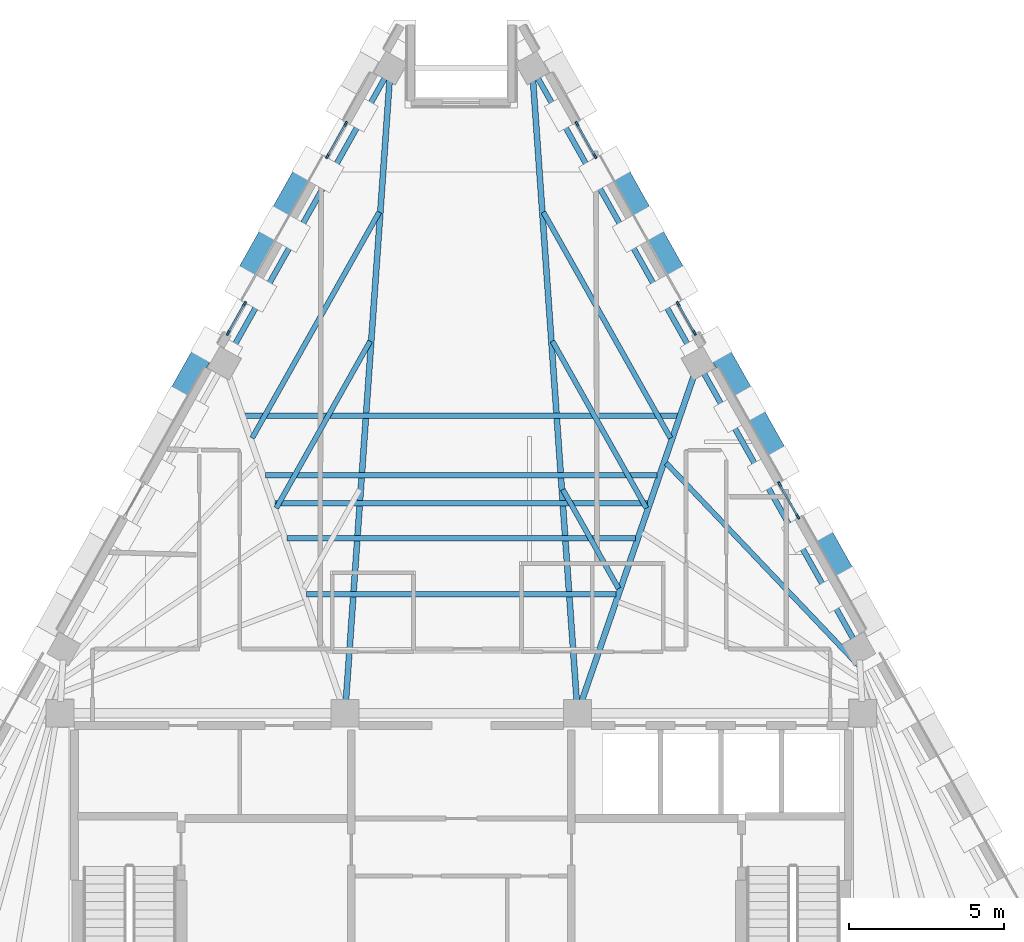
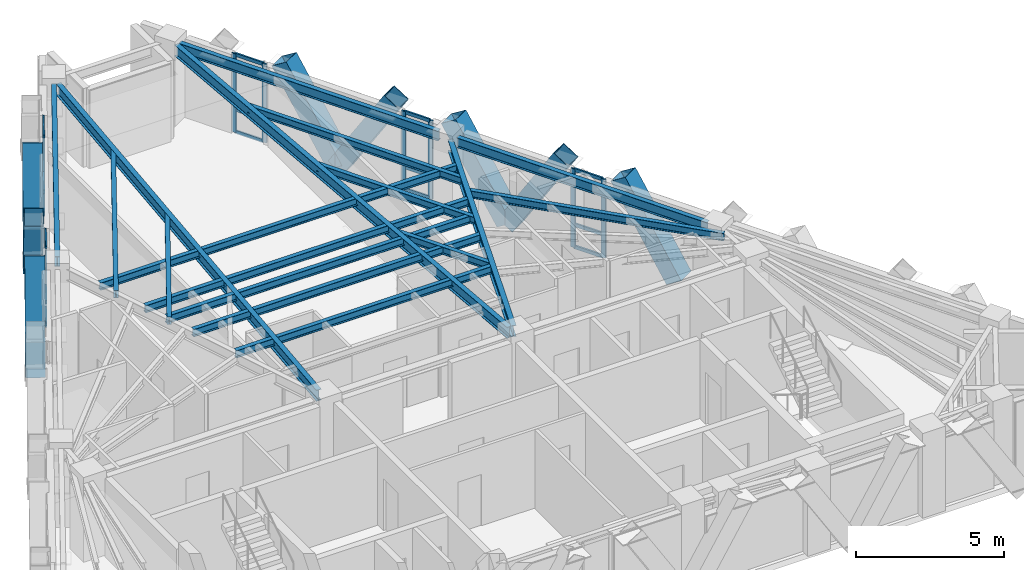
# One storey, part 3 of 9: 33 members, 17 beams, 5 elements without a shape of their own.
"""IFC4 building model written with IfcOpenShell, lengths in metres."""

from ifc_helpers import new_model, si_unit, direction, frame, origin, origin_2d, place, context, subcontext, project, spatial, rectangle, hollow_rectangle, i_section, extrude, material, material_profile, profile_set, type_object, element, aggregate, save


model = new_model("IFC4")

# Units and contexts
model_context = context("Model", 3, precision=1e-05, world=origin(), true_north=direction((0.0, 1.0)))
body_context = subcontext(model_context, "Body", "Model", "MODEL_VIEW")
ifc_project = project(units=[si_unit("LENGTHUNIT", "METRE"), si_unit("AREAUNIT", "SQUARE_METRE"), si_unit("VOLUMEUNIT", "CUBIC_METRE"), si_unit("PLANEANGLEUNIT", "RADIAN"), si_unit("MASSUNIT", "GRAM", prefix="KILO")], contexts=[model_context])

# Site, building, storey
site_placement = place(None, origin())
site = spatial("IfcSite", under=ifc_project, at=site_placement, CompositionType="ELEMENT")
building_placement = place(site_placement, origin())
building = spatial("IfcBuilding", under=site, at=building_placement, Name="Quenlor Broadcast Tower", CompositionType="ELEMENT")
storey_placement = place(building_placement, frame((0.0, 0.0, 239.39990234375)))
storey = spatial("IfcBuildingStorey", under=building, at=storey_placement, Name="L66", CompositionType="ELEMENT", Elevation=239.39990234375)

# Curtain wall, members
ifc_material_1 = material(Name="Architectural Terracotta and Low-E Glazing", Category="masonry")
curtain_wall_type = type_object("IfcCurtainWallType", Name="Unitised Terracotta Curtain Wall System Z5", PredefinedType="NOTDEFINED", material=ifc_material_1)
curtain_wall_1_placement = place(storey_placement, origin())
curtain_wall_1 = element("IfcCurtainWall", 1, at=curtain_wall_1_placement, inside=storey, type_object=curtain_wall_type, Name="L66 Curtain Wall CW5 (L66-NEA-G1)", PredefinedType="NOTDEFINED")
ifc_material_2 = material(Name="Aluminium 6063-T6", Category="aluminium")
ifc_material_profile_1 = material_profile(ifc_material_2, rectangle(XDim=0.06494140625, YDim=0.169921875, at=origin_2d()))
ifc_profile_set_1 = profile_set([ifc_material_profile_1], Name="Aluminium 6063-T6 MULL65x170")
member_type_1 = type_object("IfcMemberType", Name="CW5 Aluminium Mullion MULL_CW5", PredefinedType="MULLION", material=ifc_profile_set_1)
member_1_placement = place(storey_placement, frame((3.72802734375, 14.211669921875, 0.0), z_axis=(0.0, 0.0, 1.0), x_axis=(0.871558583916, 0.49029137745, 0.0)))
member_1 = element("IfcMember", 2, at=member_1_placement, type_object=member_type_1, Name="CW5 mullion 1", PredefinedType="MULLION", context=body_context, shape_type="SweptSolid", body=[
    extrude(rectangle(XDim=0.06494140625, YDim=0.169921875, at=origin_2d()), origin(), (0.0, 0.0, 1.0), 3.25),
])
member_2_placement = place(storey_placement, frame((4.31396484375, 13.169921875, 0.0), z_axis=(0.0, 0.0, 1.0), x_axis=(0.871558583916, 0.49029137745, 0.0)))
member_2 = element("IfcMember", 3, at=member_2_placement, type_object=member_type_1, Name="CW5 mullion 2", PredefinedType="MULLION", context=body_context, shape_type="SweptSolid", body=[
    extrude(rectangle(XDim=0.06494140625, YDim=0.169921875, at=origin_2d()), origin(), (0.0, 0.0, 1.0), 3.25),
])

curtain_wall_2_placement = place(storey_placement, origin())
curtain_wall_2 = element("IfcCurtainWall", 4, at=curtain_wall_2_placement, inside=storey, type_object=curtain_wall_type, Name="L66 Curtain Wall CW5 (L66-NEA-G2)", PredefinedType="NOTDEFINED")
member_3_placement = place(storey_placement, frame((6.99755859375, 8.39892578125, 0.0), z_axis=(0.0, 0.0, 1.0), x_axis=(0.871563693894, 0.490282293669, 0.0)))
member_3 = element("IfcMember", 5, at=member_3_placement, type_object=member_type_1, Name="CW5 mullion 1", PredefinedType="MULLION", context=body_context, shape_type="SweptSolid", body=[
    extrude(rectangle(XDim=0.06494140625, YDim=0.169921875, at=origin_2d()), origin(), (0.0, 0.0, 1.0), 3.25),
])
member_4_placement = place(storey_placement, frame((7.5185546875, 7.472900390625, 0.0), z_axis=(0.0, 0.0, 1.0), x_axis=(0.871563693894, 0.490282293669, 0.0)))
member_4 = element("IfcMember", 6, at=member_4_placement, type_object=member_type_1, Name="CW5 mullion 2", PredefinedType="MULLION", context=body_context, shape_type="SweptSolid", body=[
    extrude(rectangle(XDim=0.06494140625, YDim=0.169921875, at=origin_2d()), origin(), (0.0, 0.0, 1.0), 3.25),
])

curtain_wall_3_placement = place(storey_placement, origin())
curtain_wall_3 = element("IfcCurtainWall", 7, at=curtain_wall_3_placement, inside=storey, type_object=curtain_wall_type, Name="L66 Curtain Wall CW5 (L66-NE-G1)", PredefinedType="NOTDEFINED")
member_5_placement = place(storey_placement, frame((10.267333984375, 2.586181640625, 0.0), z_axis=(0.0, 0.0, 1.0), x_axis=(0.871592489955, 0.490231100048, 0.0)))
member_5 = element("IfcMember", 8, at=member_5_placement, type_object=member_type_1, Name="CW5 mullion 1", PredefinedType="MULLION", context=body_context, shape_type="SweptSolid", body=[
    extrude(rectangle(XDim=0.06494140625, YDim=0.169921875, at=origin_2d()), origin(), (0.0, 0.0, 1.0), 3.25),
])
member_6_placement = place(storey_placement, frame((10.853271484375, 1.54443359375, 0.0), z_axis=(0.0, 0.0, 1.0), x_axis=(0.871592489955, 0.490231100048, 0.0)))
member_6 = element("IfcMember", 9, at=member_6_placement, type_object=member_type_1, Name="CW5 mullion 2", PredefinedType="MULLION", context=body_context, shape_type="SweptSolid", body=[
    extrude(rectangle(XDim=0.06494140625, YDim=0.169921875, at=origin_2d()), origin(), (0.0, 0.0, 1.0), 3.25),
])

curtain_wall_4_placement = place(storey_placement, origin())
curtain_wall_4 = element("IfcCurtainWall", 10, at=curtain_wall_4_placement, inside=storey, type_object=curtain_wall_type, Name="L66 Curtain Wall CW5 (L66-NWC-G1)", PredefinedType="NOTDEFINED")
member_7_placement = place(storey_placement, frame((-7.5185546875, 7.472900390625, 0.0), z_axis=(0.0, 0.0, 1.0), x_axis=(-0.871563693894, 0.490282293669, 0.0)))
member_7 = element("IfcMember", 11, at=member_7_placement, type_object=member_type_1, Name="CW5 mullion 1", PredefinedType="MULLION", context=body_context, shape_type="SweptSolid", body=[
    extrude(rectangle(XDim=0.06494140625, YDim=0.169921875, at=origin_2d()), origin(), (0.0, 0.0, 1.0), 3.25),
])
member_8_placement = place(storey_placement, frame((-6.99755859375, 8.39892578125, 0.0), z_axis=(0.0, 0.0, 1.0), x_axis=(-0.871563693894, 0.490282293669, 0.0)))
member_8 = element("IfcMember", 12, at=member_8_placement, type_object=member_type_1, Name="CW5 mullion 2", PredefinedType="MULLION", context=body_context, shape_type="SweptSolid", body=[
    extrude(rectangle(XDim=0.06494140625, YDim=0.169921875, at=origin_2d()), origin(), (0.0, 0.0, 1.0), 3.25),
])

curtain_wall_5_placement = place(storey_placement, origin())
curtain_wall_5 = element("IfcCurtainWall", 13, at=curtain_wall_5_placement, inside=storey, type_object=curtain_wall_type, Name="L66 Curtain Wall CW5 (L66-NWC-G2)", PredefinedType="NOTDEFINED")
member_9_placement = place(storey_placement, frame((-4.31396484375, 13.169921875, 0.0), z_axis=(0.0, 0.0, 1.0), x_axis=(-0.871558583916, 0.49029137745, 0.0)))
member_9 = element("IfcMember", 14, at=member_9_placement, type_object=member_type_1, Name="CW5 mullion 1", PredefinedType="MULLION", context=body_context, shape_type="SweptSolid", body=[
    extrude(rectangle(XDim=0.06494140625, YDim=0.169921875, at=origin_2d()), origin(), (0.0, 0.0, 1.0), 3.25),
])
member_10_placement = place(storey_placement, frame((-3.72802734375, 14.211669921875, 0.0), z_axis=(0.0, 0.0, 1.0), x_axis=(-0.871558583916, 0.49029137745, 0.0)))
member_10 = element("IfcMember", 15, at=member_10_placement, type_object=member_type_1, Name="CW5 mullion 2", PredefinedType="MULLION", context=body_context, shape_type="SweptSolid", body=[
    extrude(rectangle(XDim=0.06494140625, YDim=0.169921875, at=origin_2d()), origin(), (0.0, 0.0, 1.0), 3.25),
])

# Member
ifc_material_3 = material(Name="Aluminium 6063-T6", Category="aluminium")
ifc_material_profile_2 = material_profile(ifc_material_3, rectangle(XDim=0.06494140625, YDim=0.139892578125, at=origin_2d()))
ifc_profile_set_2 = profile_set([ifc_material_profile_2], Name="Aluminium 6063-T6 TRAN65x140")
member_type_2 = type_object("IfcMemberType", Name="CW5 Aluminium Transom TRAN_CW5", PredefinedType="USERDEFINED", material=ifc_profile_set_2)
member_11_placement = place(storey_placement, frame((3.743896484375, 14.183349609375, 0.03271484375), z_axis=(0.490312513966, -0.871546693327, 0.0), x_axis=(0.871546693327, 0.490312513966, 0.0)))
member_11 = element("IfcMember", 16, at=member_11_placement, type_object=member_type_2, Name="CW5 transom 1.1", ObjectType="TRANSOM", PredefinedType="USERDEFINED", context=body_context, shape_type="SweptSolid", body=[
    extrude(rectangle(XDim=0.06494140625, YDim=0.139892578125, at=origin_2d()), origin(), (0.0, 0.0, 1.0), 1.13037109375),
])

member_12_placement = place(storey_placement, frame((3.743896484375, 14.183349609375, 0.9501953125), z_axis=(0.490312513966, -0.871546693327, 0.0), x_axis=(0.871546693327, 0.490312513966, 0.0)))
member_12 = element("IfcMember", 17, at=member_12_placement, type_object=member_type_2, Name="CW5 transom 1.2", ObjectType="TRANSOM", PredefinedType="USERDEFINED", context=body_context, shape_type="SweptSolid", body=[
    extrude(rectangle(XDim=0.06494140625, YDim=0.139892578125, at=origin_2d()), origin(), (0.0, 0.0, 1.0), 1.13037109375),
])

member_13_placement = place(storey_placement, frame((3.743896484375, 14.183349609375, 3.217529296875), z_axis=(0.490312513966, -0.871546693327, 0.0), x_axis=(0.871546693327, 0.490312513966, 0.0)))
member_13 = element("IfcMember", 18, at=member_13_placement, type_object=member_type_2, Name="CW5 transom 1.3", ObjectType="TRANSOM", PredefinedType="USERDEFINED", context=body_context, shape_type="SweptSolid", body=[
    extrude(rectangle(XDim=0.06494140625, YDim=0.139892578125, at=origin_2d()), origin(), (0.0, 0.0, 1.0), 1.13037109375),
])

aggregate(curtain_wall_1, [member_1, member_2, member_11, member_12, member_13])

member_14_placement = place(storey_placement, frame((7.013427734375, 8.37060546875, 0.03271484375), z_axis=(0.490249619047, -0.871582073602, 0.0), x_axis=(0.871582073602, 0.490249619047, 0.0)))
member_14 = element("IfcMember", 19, at=member_14_placement, type_object=member_type_2, Name="CW5 transom 1.1", ObjectType="TRANSOM", PredefinedType="USERDEFINED", context=body_context, shape_type="SweptSolid", body=[
    extrude(rectangle(XDim=0.06494140625, YDim=0.139892578125, at=origin_2d()), origin(), (0.0, 0.0, 1.0), 0.99755859375),
])

member_15_placement = place(storey_placement, frame((7.013427734375, 8.37060546875, 0.9501953125), z_axis=(0.490249619047, -0.871582073602, 0.0), x_axis=(0.871582073602, 0.490249619047, 0.0)))
member_15 = element("IfcMember", 20, at=member_15_placement, type_object=member_type_2, Name="CW5 transom 1.2", ObjectType="TRANSOM", PredefinedType="USERDEFINED", context=body_context, shape_type="SweptSolid", body=[
    extrude(rectangle(XDim=0.06494140625, YDim=0.139892578125, at=origin_2d()), origin(), (0.0, 0.0, 1.0), 0.99755859375),
])

member_16_placement = place(storey_placement, frame((7.013427734375, 8.37060546875, 3.217529296875), z_axis=(0.490249619047, -0.871582073602, 0.0), x_axis=(0.871582073602, 0.490249619047, 0.0)))
member_16 = element("IfcMember", 21, at=member_16_placement, type_object=member_type_2, Name="CW5 transom 1.3", ObjectType="TRANSOM", PredefinedType="USERDEFINED", context=body_context, shape_type="SweptSolid", body=[
    extrude(rectangle(XDim=0.06494140625, YDim=0.139892578125, at=origin_2d()), origin(), (0.0, 0.0, 1.0), 0.99755859375),
])

aggregate(curtain_wall_2, [member_3, member_4, member_14, member_15, member_16])

member_17_placement = place(storey_placement, frame((10.283203125, 2.557861328125, 0.03271484375), z_axis=(0.490312513966, -0.871546693327, 0.0), x_axis=(0.871546693327, 0.490312513966, 0.0)))
member_17 = element("IfcMember", 22, at=member_17_placement, type_object=member_type_2, Name="CW5 transom 1.1", ObjectType="TRANSOM", PredefinedType="USERDEFINED", context=body_context, shape_type="SweptSolid", body=[
    extrude(rectangle(XDim=0.06494140625, YDim=0.139892578125, at=origin_2d()), origin(), (0.0, 0.0, 1.0), 1.13037109375),
])

member_18_placement = place(storey_placement, frame((10.283203125, 2.557861328125, 0.9501953125), z_axis=(0.490312513966, -0.871546693327, 0.0), x_axis=(0.871546693327, 0.490312513966, 0.0)))
member_18 = element("IfcMember", 23, at=member_18_placement, type_object=member_type_2, Name="CW5 transom 1.2", ObjectType="TRANSOM", PredefinedType="USERDEFINED", context=body_context, shape_type="SweptSolid", body=[
    extrude(rectangle(XDim=0.06494140625, YDim=0.139892578125, at=origin_2d()), origin(), (0.0, 0.0, 1.0), 1.13037109375),
])

member_19_placement = place(storey_placement, frame((10.283203125, 2.557861328125, 3.217529296875), z_axis=(0.490312513966, -0.871546693327, 0.0), x_axis=(0.871546693327, 0.490312513966, 0.0)))
member_19 = element("IfcMember", 24, at=member_19_placement, type_object=member_type_2, Name="CW5 transom 1.3", ObjectType="TRANSOM", PredefinedType="USERDEFINED", context=body_context, shape_type="SweptSolid", body=[
    extrude(rectangle(XDim=0.06494140625, YDim=0.139892578125, at=origin_2d()), origin(), (0.0, 0.0, 1.0), 1.13037109375),
])

aggregate(curtain_wall_3, [member_5, member_6, member_17, member_18, member_19])

member_20_placement = place(storey_placement, frame((-7.50244140625, 7.501220703125, 0.03271484375), z_axis=(0.490249619047, 0.871582073602, 0.0), x_axis=(-0.871582073602, 0.490249619047, 0.0)))
member_20 = element("IfcMember", 25, at=member_20_placement, type_object=member_type_2, Name="CW5 transom 1.1", ObjectType="TRANSOM", PredefinedType="USERDEFINED", context=body_context, shape_type="SweptSolid", body=[
    extrude(rectangle(XDim=0.06494140625, YDim=0.139892578125, at=origin_2d()), origin(), (0.0, 0.0, 1.0), 0.99755859375),
])

member_21_placement = place(storey_placement, frame((-7.50244140625, 7.501220703125, 0.9501953125), z_axis=(0.490249619047, 0.871582073602, 0.0), x_axis=(-0.871582073602, 0.490249619047, 0.0)))
member_21 = element("IfcMember", 26, at=member_21_placement, type_object=member_type_2, Name="CW5 transom 1.2", ObjectType="TRANSOM", PredefinedType="USERDEFINED", context=body_context, shape_type="SweptSolid", body=[
    extrude(rectangle(XDim=0.06494140625, YDim=0.139892578125, at=origin_2d()), origin(), (0.0, 0.0, 1.0), 0.99755859375),
])

member_22_placement = place(storey_placement, frame((-7.50244140625, 7.501220703125, 3.217529296875), z_axis=(0.490249619047, 0.871582073602, 0.0), x_axis=(-0.871582073602, 0.490249619047, 0.0)))
member_22 = element("IfcMember", 27, at=member_22_placement, type_object=member_type_2, Name="CW5 transom 1.3", ObjectType="TRANSOM", PredefinedType="USERDEFINED", context=body_context, shape_type="SweptSolid", body=[
    extrude(rectangle(XDim=0.06494140625, YDim=0.139892578125, at=origin_2d()), origin(), (0.0, 0.0, 1.0), 0.99755859375),
])

aggregate(curtain_wall_4, [member_7, member_8, member_20, member_21, member_22])

member_23_placement = place(storey_placement, frame((-4.298095703125, 13.1982421875, 0.03271484375), z_axis=(0.490312513966, 0.871546693327, 0.0), x_axis=(-0.871546693327, 0.490312513966, 0.0)))
member_23 = element("IfcMember", 28, at=member_23_placement, type_object=member_type_2, Name="CW5 transom 1.1", ObjectType="TRANSOM", PredefinedType="USERDEFINED", context=body_context, shape_type="SweptSolid", body=[
    extrude(rectangle(XDim=0.06494140625, YDim=0.139892578125, at=origin_2d()), origin(), (0.0, 0.0, 1.0), 1.13037109375),
])

member_24_placement = place(storey_placement, frame((-4.298095703125, 13.1982421875, 0.9501953125), z_axis=(0.490312513966, 0.871546693327, 0.0), x_axis=(-0.871546693327, 0.490312513966, 0.0)))
member_24 = element("IfcMember", 29, at=member_24_placement, type_object=member_type_2, Name="CW5 transom 1.2", ObjectType="TRANSOM", PredefinedType="USERDEFINED", context=body_context, shape_type="SweptSolid", body=[
    extrude(rectangle(XDim=0.06494140625, YDim=0.139892578125, at=origin_2d()), origin(), (0.0, 0.0, 1.0), 1.13037109375),
])

member_25_placement = place(storey_placement, frame((-4.298095703125, 13.1982421875, 3.217529296875), z_axis=(0.490312513966, 0.871546693327, 0.0), x_axis=(-0.871546693327, 0.490312513966, 0.0)))
member_25 = element("IfcMember", 30, at=member_25_placement, type_object=member_type_2, Name="CW5 transom 1.3", ObjectType="TRANSOM", PredefinedType="USERDEFINED", context=body_context, shape_type="SweptSolid", body=[
    extrude(rectangle(XDim=0.06494140625, YDim=0.139892578125, at=origin_2d()), origin(), (0.0, 0.0, 1.0), 1.13037109375),
])

aggregate(curtain_wall_5, [member_9, member_10, member_23, member_24, member_25])

# Members
ifc_material_4 = material(Name="Steel S355", Category="steel")
ifc_material_profile_3 = material_profile(ifc_material_4, hollow_rectangle(XDim=0.679931640625, YDim=0.679931640625, WallThickness=0.02001953125, at=origin_2d()))
ifc_profile_set_3 = profile_set([ifc_material_profile_3], Name="Steel S355 RHS680x680x20")
member_type_3 = type_object("IfcMemberType", Name="Perimeter Diagonal Lattice Brace Z5-Crown Steel S355 RHS680x20", PredefinedType="BRACE", material=ifc_profile_set_3)
for number, where, z_axis, x_axis, name in (
    (31, (5.993408203125, 10.98974609375, -0.119873046875), (-0.260563732169, 0.463283497491, 0.847038926161), (-0.871602253711, -0.49021374045, 0.0), "L66 Perimeter Diamond Lattice NE-C1B"),
    (32, (6.006591796875, 10.96630859375, -0.119873046875), (0.260618804175, -0.463276364439, 0.847025884529), (0.8715547569, 0.490298180422, 0.0), "L66 Perimeter Diamond Lattice NE-C2S"),
    (33, (9.26318359375, 5.177001953125, -0.119873046875), (-0.260618804175, 0.463276364439, 0.847025884529), (-0.8715547569, -0.490298180422, 0.0), "L66 Perimeter Diamond Lattice NE-C2B"),
    (34, (9.2763671875, 5.153564453125, -0.119873046875), (0.260563732169, -0.463283497491, 0.847038926161), (0.871602253711, 0.49021374045, 0.0), "L66 Perimeter Diamond Lattice NE-C3S"),
    (35, (12.532958984375, -0.635986328125, -0.119873046875), (-0.260618804175, 0.463276364439, 0.847025884529), (-0.8715547569, -0.490298180422, 0.0), "L66 Perimeter Diamond Lattice NE-C3B"),
    (36, (-9.26318359375, 5.177001953125, -0.119873046875), (0.260618804175, 0.463276364439, 0.847025884529), (-0.8715547569, 0.490298180422, 0.0), "L66 Perimeter Diamond Lattice NW-C4S"),
    (37, (-6.006591796875, 10.96630859375, -0.119873046875), (-0.260618804175, -0.463276364439, 0.847025884529), (0.8715547569, -0.490298180422, 0.0), "L66 Perimeter Diamond Lattice NW-C4B"),
    (38, (-5.993408203125, 10.98974609375, -0.119873046875), (0.260563732169, 0.463283497491, 0.847038926161), (-0.871602253711, 0.49021374045, 0.0), "L66 Perimeter Diamond Lattice NW-C5S"),
):
    element("IfcMember", number, at=place(storey_placement, frame(where, z_axis=z_axis, x_axis=x_axis)), inside=storey, type_object=member_type_3, Name=name, PredefinedType="BRACE", context=body_context, shape_type="SweptSolid", body=[
        extrude(hollow_rectangle(XDim=0.679931640625, YDim=0.679931640625, WallThickness=0.02001953125, at=origin_2d()), origin(), (0.0, 0.0, 1.0), 4.132080078125),
    ])

# Beams
ifc_material_5 = material(Name="Steel S355", Category="steel")
ifc_material_profile_4 = material_profile(ifc_material_5, i_section(OverallWidth=0.177978515625, OverallDepth=0.406494140625, WebThickness=0.0078125, FlangeThickness=0.0126953125, FilletRadius=0.011474609375, at=origin_2d()))
ifc_profile_set_4 = profile_set([ifc_material_profile_4], Name="Steel S355 410UB59.7")
beam_type_1 = type_object("IfcBeamType", Name="Perimeter Spandrel Beam Z5 Steel S355 410UB59.7", PredefinedType="SPANDREL", material=ifc_profile_set_4)
beam_1_placement = place(storey_placement, frame((12.64892578125, -2.412841796875, 3.046875), z_axis=(-0.49024947634, 0.871582153872, 0.0), x_axis=(-0.871582153872, -0.49024947634, 0.0)))
element("IfcBeam", 39, at=beam_1_placement, inside=storey, type_object=beam_type_1, Name="L66 Spandrel Beam NE2-NE3", PredefinedType="SPANDREL", context=body_context, shape_type="SweptSolid", body=[
    extrude(i_section(OverallWidth=0.177978515625, OverallDepth=0.406494140625, WebThickness=0.0078125, FlangeThickness=0.0126953125, FilletRadius=0.011474609375, at=origin_2d()), origin(), (0.0, 0.0, 1.0), 9.853759765625),
])
for number, where, z_axis, x_axis, name in (
    (40, (7.465087890625, 6.802978515625, 3.046875), (-0.490264646634, 0.871573620677, 0.0), (-0.871573620677, -0.490264646634, 0.0), "L66 Spandrel Beam NE3-NE4"),
    (41, (-2.461181640625, 15.69873046875, 3.046875), (-0.490264646634, -0.871573620677, 0.0), (0.871573620677, -0.490264646634, 0.0), "L66 Spandrel Beam NW1-NW2"),
):
    element("IfcBeam", number, at=place(storey_placement, frame(where, z_axis=z_axis, x_axis=x_axis)), inside=storey, type_object=beam_type_1, Name=name, PredefinedType="SPANDREL", context=body_context, shape_type="SweptSolid", body=[
        extrude(i_section(OverallWidth=0.177978515625, OverallDepth=0.406494140625, WebThickness=0.0078125, FlangeThickness=0.0126953125, FilletRadius=0.011474609375, at=origin_2d()), origin(), (0.0, 0.0, 1.0), 10.20654296875),
    ])
ifc_material_6 = material(Name="Steel S355", Category="steel")
ifc_material_profile_5 = material_profile(ifc_material_6, i_section(OverallWidth=0.166015625, OverallDepth=0.30712890625, WebThickness=0.006591796875, FlangeThickness=0.01171875, FilletRadius=0.011474609375, at=origin_2d()))
ifc_profile_set_5 = profile_set([ifc_material_profile_5], Name="Steel S355 310UB46.2")
beam_type_2 = type_object("IfcBeamType", Name="Tower Composite Joist Z4-Z5 Steel S355 310UB46.2", PredefinedType="JOIST", material=ifc_profile_set_5)
beam_2_placement = place(storey_placement, frame((-6.0048828125, 1.9736328125, 3.096435546875), z_axis=(1.0, 0.0, 0.0), x_axis=(0.0, 1.0, 0.0)))
element("IfcBeam", 42, at=beam_2_placement, inside=storey, type_object=beam_type_2, Name="L66 Secondary Composite Joist 2", PredefinedType="JOIST", context=body_context, shape_type="SweptSolid", body=[
    extrude(i_section(OverallWidth=0.166015625, OverallDepth=0.30712890625, WebThickness=0.006591796875, FlangeThickness=0.01171875, FilletRadius=0.011474609375, at=origin_2d()), origin(), (0.0, 0.0, 1.0), 12.009765625),
])
beam_3_placement = place(storey_placement, frame((-4.9931640625, -0.961669921875, 3.096435546875), z_axis=(1.0, 0.0, 0.0), x_axis=(0.0, 1.0, 0.0)))
element("IfcBeam", 43, at=beam_3_placement, inside=storey, type_object=beam_type_2, Name="L66 Secondary Composite Joist 3", PredefinedType="JOIST", context=body_context, shape_type="SweptSolid", body=[
    extrude(i_section(OverallWidth=0.166015625, OverallDepth=0.30712890625, WebThickness=0.006591796875, FlangeThickness=0.01171875, FilletRadius=0.011474609375, at=origin_2d()), origin(), (0.0, 0.0, 1.0), 9.986328125),
])
beam_4_placement = place(storey_placement, frame((-5.61572265625, 0.8447265625, 3.096435546875), z_axis=(1.0, 0.0, 0.0), x_axis=(0.0, 1.0, 0.0)))
element("IfcBeam", 44, at=beam_4_placement, inside=storey, type_object=beam_type_2, Name="L66 Secondary Composite Joist 4", PredefinedType="JOIST", context=body_context, shape_type="SweptSolid", body=[
    extrude(i_section(OverallWidth=0.166015625, OverallDepth=0.30712890625, WebThickness=0.006591796875, FlangeThickness=0.01171875, FilletRadius=0.011474609375, at=origin_2d()), origin(), (0.0, 0.0, 1.0), 11.2314453125),
])
beam_5_placement = place(storey_placement, frame((-6.316162109375, 2.876708984375, 3.096435546875), z_axis=(1.0, 0.0, 0.0), x_axis=(0.0, 1.0, 0.0)))
element("IfcBeam", 45, at=beam_5_placement, inside=storey, type_object=beam_type_2, Name="L66 Secondary Composite Joist 5", PredefinedType="JOIST", context=body_context, shape_type="SweptSolid", body=[
    extrude(i_section(OverallWidth=0.166015625, OverallDepth=0.30712890625, WebThickness=0.006591796875, FlangeThickness=0.01171875, FilletRadius=0.011474609375, at=origin_2d()), origin(), (0.0, 0.0, 1.0), 12.63232421875),
])
beam_6_placement = place(storey_placement, frame((-6.977783203125, 4.7958984375, 3.096435546875), z_axis=(1.0, 0.0, 0.0), x_axis=(0.0, 1.0, 0.0)))
element("IfcBeam", 46, at=beam_6_placement, inside=storey, type_object=beam_type_2, Name="L66 Secondary Composite Joist 6", PredefinedType="JOIST", context=body_context, shape_type="SweptSolid", body=[
    extrude(i_section(OverallWidth=0.166015625, OverallDepth=0.30712890625, WebThickness=0.006591796875, FlangeThickness=0.01171875, FilletRadius=0.011474609375, at=origin_2d()), origin(), (0.0, 0.0, 1.0), 13.95556640625),
])
beam_7_placement = place(storey_placement, frame((12.80517578125, -3.249267578125, 3.096435546875), z_axis=(-0.689023306429, 0.724739182877, 0.0), x_axis=(-0.724739182877, -0.689023306429, 0.0)))
element("IfcBeam", 47, at=beam_7_placement, inside=storey, type_object=beam_type_2, Name="L66 Secondary Composite Joist 12", PredefinedType="JOIST", context=body_context, shape_type="SweptSolid", body=[
    extrude(i_section(OverallWidth=0.166015625, OverallDepth=0.30712890625, WebThickness=0.006591796875, FlangeThickness=0.01171875, FilletRadius=0.011474609375, at=origin_2d()), origin(), (0.0, 0.0, 1.0), 8.99560546875),
])
beam_8_placement = place(storey_placement, frame((-2.939208984375, 7.201416015625, 3.096435546875), z_axis=(-0.490266868828, -0.871572370678, 0.0), x_axis=(0.871572370678, -0.490266868828, 0.0)))
element("IfcBeam", 48, at=beam_8_placement, inside=storey, type_object=beam_type_2, Name="L66 Secondary Composite Joist 26", PredefinedType="JOIST", context=body_context, shape_type="SweptSolid", body=[
    extrude(i_section(OverallWidth=0.166015625, OverallDepth=0.30712890625, WebThickness=0.006591796875, FlangeThickness=0.01171875, FilletRadius=0.011474609375, at=origin_2d()), origin(), (0.0, 0.0, 1.0), 6.177490234375),
])
beam_9_placement = place(storey_placement, frame((-2.646240234375, 11.364013671875, 3.096435546875), z_axis=(-0.490264011812, -0.871573977768, 0.0), x_axis=(0.871573977768, -0.490264011812, 0.0)))
element("IfcBeam", 49, at=beam_9_placement, inside=storey, type_object=beam_type_2, Name="L66 Secondary Composite Joist 27", PredefinedType="JOIST", context=body_context, shape_type="SweptSolid", body=[
    extrude(i_section(OverallWidth=0.166015625, OverallDepth=0.30712890625, WebThickness=0.006591796875, FlangeThickness=0.01171875, FilletRadius=0.011474609375, at=origin_2d()), origin(), (0.0, 0.0, 1.0), 8.362548828125),
])
beam_10_placement = place(storey_placement, frame((3.2763671875, 2.41455078125, 3.096435546875), z_axis=(0.490258076222, -0.871577316535, 0.0), x_axis=(0.871577316535, 0.490258076222, 0.0)))
element("IfcBeam", 50, at=beam_10_placement, inside=storey, type_object=beam_type_2, Name="L66 Secondary Composite Joist 28", PredefinedType="JOIST", context=body_context, shape_type="SweptSolid", body=[
    extrude(i_section(OverallWidth=0.166015625, OverallDepth=0.30712890625, WebThickness=0.006591796875, FlangeThickness=0.01171875, FilletRadius=0.011474609375, at=origin_2d()), origin(), (0.0, 0.0, 1.0), 3.6640625),
])
beam_11_placement = place(storey_placement, frame((2.939208984375, 7.201416015625, 3.096435546875), z_axis=(0.490266868828, -0.871572370678, 0.0), x_axis=(0.871572370678, 0.490266868828, 0.0)))
element("IfcBeam", 51, at=beam_11_placement, inside=storey, type_object=beam_type_2, Name="L66 Secondary Composite Joist 29", PredefinedType="JOIST", context=body_context, shape_type="SweptSolid", body=[
    extrude(i_section(OverallWidth=0.166015625, OverallDepth=0.30712890625, WebThickness=0.006591796875, FlangeThickness=0.01171875, FilletRadius=0.011474609375, at=origin_2d()), origin(), (0.0, 0.0, 1.0), 6.177490234375),
])
beam_12_placement = place(storey_placement, frame((2.646240234375, 11.364013671875, 3.096435546875), z_axis=(0.490264011812, -0.871573977768, 0.0), x_axis=(0.871573977768, 0.490264011812, 0.0)))
element("IfcBeam", 52, at=beam_12_placement, inside=storey, type_object=beam_type_2, Name="L66 Secondary Composite Joist 30", PredefinedType="JOIST", context=body_context, shape_type="SweptSolid", body=[
    extrude(i_section(OverallWidth=0.166015625, OverallDepth=0.30712890625, WebThickness=0.006591796875, FlangeThickness=0.01171875, FilletRadius=0.011474609375, at=origin_2d()), origin(), (0.0, 0.0, 1.0), 8.362548828125),
])
ifc_material_7 = material(Name="Steel S355", Category="steel")
ifc_material_profile_6 = material_profile(ifc_material_7, i_section(OverallWidth=0.19091796875, OverallDepth=0.46044921875, WebThickness=0.010009765625, FlangeThickness=0.01611328125, FilletRadius=0.011474609375, at=origin_2d()))
ifc_profile_set_6 = profile_set([ifc_material_profile_6], Name="Steel S355 460UB82.1")
beam_type_3 = type_object("IfcBeamType", Name="Tower Primary Floor Beam Z5 Steel S355 460UB82.1", PredefinedType="BEAM", material=ifc_profile_set_6)
beam_13_placement = place(storey_placement, frame((7.524169921875, 6.14892578125, 3.02001953125), z_axis=(-0.325895297662, -0.945405867848, 0.0), x_axis=(0.945405867848, -0.325895297662, 0.0)))
element("IfcBeam", 53, at=beam_13_placement, inside=storey, type_object=beam_type_3, Name="L66 Primary Radial Beam NE3", PredefinedType="BEAM", context=body_context, shape_type="SweptSolid", body=[
    extrude(i_section(OverallWidth=0.19091796875, OverallDepth=0.46044921875, WebThickness=0.010009765625, FlangeThickness=0.01611328125, FilletRadius=0.011474609375, at=origin_2d()), origin(), (0.0, 0.0, 1.0), 11.201171875),
])
for number, where, z_axis, x_axis, name in (
    (54, (2.31005859375, 15.6533203125, 3.02001953125), (0.070231384782, -0.997530727643, 0.0), (0.997530727643, 0.070231384782, 0.0), "L66 Primary Radial Beam NE4"),
    (55, (-2.31005859375, 15.6533203125, 3.02001953125), (-0.070231384782, -0.997530727643, 0.0), (0.997530727643, -0.070231384782, 0.0), "L66 Primary Radial Beam NW1"),
):
    element("IfcBeam", number, at=place(storey_placement, frame(where, z_axis=z_axis, x_axis=x_axis)), inside=storey, type_object=beam_type_3, Name=name, PredefinedType="BEAM", context=body_context, shape_type="SweptSolid", body=[
        extrude(i_section(OverallWidth=0.19091796875, OverallDepth=0.46044921875, WebThickness=0.010009765625, FlangeThickness=0.01611328125, FilletRadius=0.011474609375, at=origin_2d()), origin(), (0.0, 0.0, 1.0), 20.1240234375),
    ])

save(model, "model.ifc")
